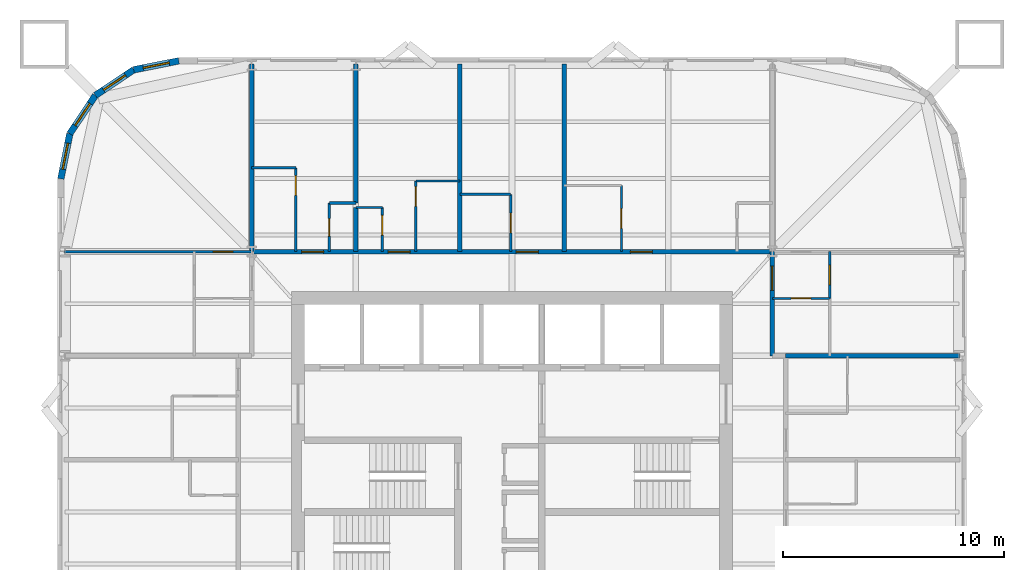
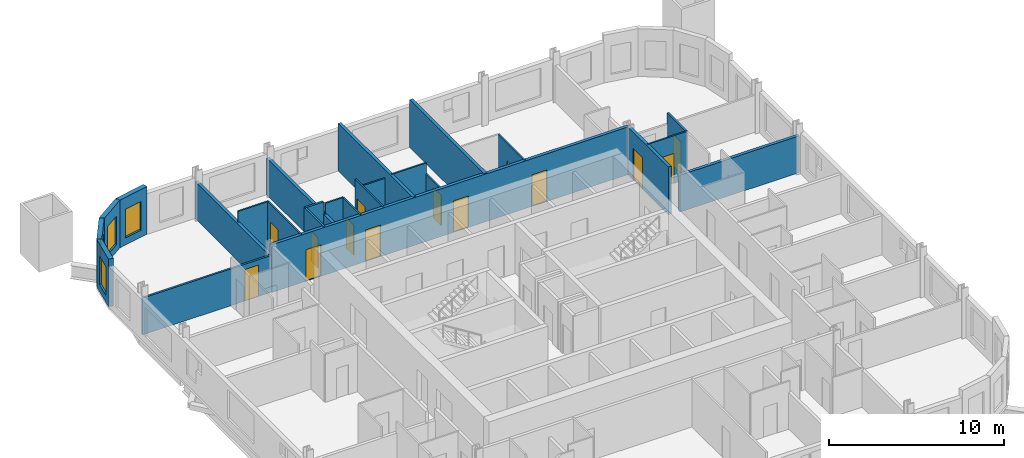
# One storey, part 7 of 9: 26 walls, 14 doors, 4 windows, 18 openings.
"""IFC4 building model written with IfcOpenShell, lengths in metres."""

from ifc_helpers import new_model, si_unit, direction, frame, frame_2d, origin, place, context, subcontext, project, spatial, rectangle, extrude, material, layer, layer_set, type_object, element, fill, save


model = new_model("IFC4")

# Units and contexts
model_context = context("Model", 3, precision=1e-05, world=origin(), true_north=direction((0.0, 1.0)))
body_context = subcontext(model_context, "Body", "Model", "MODEL_VIEW")
ifc_project = project(units=[si_unit("LENGTHUNIT", "METRE"), si_unit("AREAUNIT", "SQUARE_METRE"), si_unit("VOLUMEUNIT", "CUBIC_METRE"), si_unit("PLANEANGLEUNIT", "RADIAN"), si_unit("MASSUNIT", "GRAM", prefix="KILO")], contexts=[model_context])

# Site, building, storey
site_placement = place(None, origin())
site = spatial("IfcSite", under=ifc_project, at=site_placement, CompositionType="ELEMENT")
building_placement = place(site_placement, origin())
building = spatial("IfcBuilding", under=site, at=building_placement, Name="Turquesa Mirador Hotel Tower", CompositionType="ELEMENT")
storey_placement = place(building_placement, frame((0.0, 0.0, 117.89990234375)))
storey = spatial("IfcBuildingStorey", under=building, at=storey_placement, Name="L31", CompositionType="ELEMENT", Elevation=117.89990234375)

# Walls
ifc_material_1 = material(Name="Gypsum board on steel studs", Category="steel")
ifc_layer_1 = layer(ifc_material_1, 0.10009765625)
ifc_layer_set_1 = layer_set([ifc_layer_1], Name="BATHROOM WALL 100")
wall_type_1 = type_object("IfcWallType", Name="BATHROOM WALL 100", PredefinedType="PARTITIONING", material=ifc_layer_set_1)
wall_1_placement = place(storey_placement, frame((47.919921875, 58.800048828125, 0.0), z_axis=(0.0, 0.0, 1.0), x_axis=(1.0, 0.0, 0.0)))
element("IfcWall", 1, at=wall_1_placement, inside=storey, type_object=wall_type_1, Name="Partition L31 024", PredefinedType="PARTITIONING", context=body_context, shape_type="SweptSolid", body=[
    extrude(rectangle(XDim=1.2001953125, YDim=0.10009765625, at=frame_2d((0.60009765625, 0.0))), origin(), (0.0, 0.0, 1.0), 3.330078125),
])
wall_2_placement = place(storey_placement, frame((52.639892578125, 59.39990234375, 0.0), z_axis=(0.0, 0.0, 1.0), x_axis=(1.0, 0.0, 0.0)))
element("IfcWall", 2, at=wall_2_placement, inside=storey, type_object=wall_type_1, Name="Partition L31 027", PredefinedType="PARTITIONING", context=body_context, shape_type="SweptSolid", body=[
    extrude(rectangle(XDim=2.300048828125, YDim=0.10009765625, at=frame_2d((1.14990234375, 0.0))), origin(), (0.0, 0.0, 1.0), 3.330078125),
])
wall_3_placement = place(storey_placement, frame((50.639892578125, 60.0, 0.0), z_axis=(0.0, 0.0, 1.0), x_axis=(1.0, 0.0, 0.0)))
element("IfcWall", 3, at=wall_3_placement, inside=storey, type_object=wall_type_1, Name="Partition L31 029", PredefinedType="PARTITIONING", context=body_context, shape_type="SweptSolid", body=[
    extrude(rectangle(XDim=2.0, YDim=0.10009765625, at=frame_2d((1.0, 0.0))), origin(), (0.0, 0.0, 1.0), 2.730712890625),
])
wall_4_placement = place(storey_placement, frame((43.199951171875, 60.60009765625, 0.0), z_axis=(0.0, 0.0, 1.0), x_axis=(1.0, 0.0, 0.0)))
element("IfcWall", 4, at=wall_4_placement, inside=storey, type_object=wall_type_1, Name="Partition L31 030", PredefinedType="PARTITIONING", context=body_context, shape_type="SweptSolid", body=[
    extrude(rectangle(XDim=2.0, YDim=0.10009765625, at=frame_2d((1.0, 0.0))), origin(), (0.0, 0.0, 1.0), 3.330078125),
])

# Wall, opening, door
wall_5_placement = place(storey_placement, frame((66.800048828125, 54.679931640625, 0.0), z_axis=(0.0, 0.0, 1.0), x_axis=(1.0, 0.0, 0.0)))
wall_5 = element("IfcWall", 5, at=wall_5_placement, inside=storey, type_object=wall_type_1, Name="Partition L31 040", PredefinedType="PARTITIONING", context=body_context, shape_type="SweptSolid", body=[
    extrude(rectangle(XDim=2.599853515625, YDim=0.10009765625, at=frame_2d((1.2998046875, 0.0))), origin(), (0.0, 0.0, 1.0), 3.330078125),
])
opening_1_placement = place(wall_5_placement, frame((0.85009765625, 0.0, 0.0)))
opening_1 = element("IfcOpeningElement", 6, at=opening_1_placement, cuts=wall_5, Name="Opening D02", PredefinedType="OPENING", context=body_context, shape_type="SweptSolid", body=[
    extrude(rectangle(XDim=0.89990234375, YDim=2.10009765625, at=frame_2d((0.449951171875, 1.050048828125))), frame((0.0, 0.06005859375, 0.0), z_axis=(0.0, -1.0, 0.0), x_axis=(1.0, 0.0, 0.0)), (0.0, 0.0, 1.0), 0.1201171875),
])
ifc_material_2 = material(Name="Timber veneered door", Category="wood")
door_type_1 = type_object("IfcDoorType", Name="DOOR 900X2100 EN-SUITE", OperationType="SINGLE_SWING_RIGHT", PredefinedType="DOOR", material=ifc_material_2)
door_1_placement = place(opening_1_placement, origin())
door_1 = element("IfcDoor", 7, at=door_1_placement, inside=storey, type_object=door_type_1, Name="Door 3113B", OperationType="SINGLE_SWING_RIGHT", OverallHeight=2.10009765625, OverallWidth=0.89990234375, PredefinedType="DOOR", context=body_context, shape_type="SweptSolid", body=[
    extrude(rectangle(XDim=0.89990234375, YDim=2.10009765625, at=frame_2d((0.449951171875, 1.050048828125))), frame((0.0, 0.02490234375, 0.0), z_axis=(0.0, -1.0, 0.0), x_axis=(1.0, 0.0, 0.0)), (0.0, 0.0, 1.0), 0.050048828125),
])
fill(opening_1, door_1)

wall_6_placement = place(storey_placement, frame((54.93994140625, 56.800048828125, 0.0), z_axis=(0.0, 0.0, 1.0), x_axis=(0.0, 1.0, 0.0)))
wall_6 = element("IfcWall", 8, at=wall_6_placement, inside=storey, type_object=wall_type_1, Name="Partition L31 041", PredefinedType="PARTITIONING", context=body_context, shape_type="SweptSolid", body=[
    extrude(rectangle(XDim=2.599853515625, YDim=0.10009765625, at=frame_2d((1.2998046875, 0.0))), origin(), (0.0, 0.0, 1.0), 2.5732421875),
])
opening_2_placement = place(wall_6_placement, frame((0.85009765625, 0.0, 0.0)))
opening_2 = element("IfcOpeningElement", 9, at=opening_2_placement, cuts=wall_6, Name="Opening D02", PredefinedType="OPENING", context=body_context, shape_type="SweptSolid", body=[
    extrude(rectangle(XDim=0.89990234375, YDim=2.10009765625, at=frame_2d((0.449951171875, 1.050048828125))), frame((0.0, 0.06005859375, 0.0), z_axis=(0.0, -1.0, 0.0), x_axis=(1.0, 0.0, 0.0)), (0.0, 0.0, 1.0), 0.1201171875),
])
door_2_placement = place(opening_2_placement, origin())
door_2 = element("IfcDoor", 10, at=door_2_placement, inside=storey, type_object=door_type_1, Name="Door 3103B", OperationType="SINGLE_SWING_RIGHT", OverallHeight=2.10009765625, OverallWidth=0.89990234375, PredefinedType="DOOR", context=body_context, shape_type="SweptSolid", body=[
    extrude(rectangle(XDim=0.89990234375, YDim=2.10009765625, at=frame_2d((0.449951171875, 1.050048828125))), frame((0.0, 0.02490234375, 0.0), z_axis=(0.0, -1.0, 0.0), x_axis=(1.0, 0.0, 0.0)), (0.0, 0.0, 1.0), 0.050048828125),
])
fill(opening_2, door_2)

wall_7_placement = place(storey_placement, frame((50.639892578125, 56.800048828125, 0.0), z_axis=(0.0, 0.0, 1.0), x_axis=(0.0, 1.0, 0.0)))
wall_7 = element("IfcWall", 11, at=wall_7_placement, inside=storey, type_object=wall_type_1, Name="Partition L31 055", PredefinedType="PARTITIONING", context=body_context, shape_type="SweptSolid", body=[
    extrude(rectangle(XDim=3.199951171875, YDim=0.10009765625, at=frame_2d((1.60009765625, 0.0))), origin(), (0.0, 0.0, 1.0), 3.330078125),
])
opening_3_placement = place(wall_7_placement, frame((2.050048828125, 0.0, 0.0)))
opening_3 = element("IfcOpeningElement", 12, at=opening_3_placement, cuts=wall_7, Name="Opening D02", PredefinedType="OPENING", context=body_context, shape_type="SweptSolid", body=[
    extrude(rectangle(XDim=0.89990234375, YDim=2.10009765625, at=frame_2d((0.449951171875, 1.050048828125))), frame((0.0, 0.06005859375, 0.0), z_axis=(0.0, -1.0, 0.0), x_axis=(1.0, 0.0, 0.0)), (0.0, 0.0, 1.0), 0.1201171875),
])
door_3_placement = place(opening_3_placement, origin())
door_3 = element("IfcDoor", 13, at=door_3_placement, inside=storey, type_object=door_type_1, Name="Door 3102B", OperationType="SINGLE_SWING_RIGHT", OverallHeight=2.10009765625, OverallWidth=0.89990234375, PredefinedType="DOOR", context=body_context, shape_type="SweptSolid", body=[
    extrude(rectangle(XDim=0.89990234375, YDim=2.10009765625, at=frame_2d((0.449951171875, 1.050048828125))), frame((0.0, 0.02490234375, 0.0), z_axis=(0.0, -1.0, 0.0), x_axis=(1.0, 0.0, 0.0)), (0.0, 0.0, 1.0), 0.050048828125),
])
fill(opening_3, door_3)

wall_8_placement = place(storey_placement, frame((49.1201171875, 56.800048828125, 0.0), z_axis=(0.0, 0.0, 1.0), x_axis=(0.0, 1.0, 0.0)))
wall_8 = element("IfcWall", 14, at=wall_8_placement, inside=storey, type_object=wall_type_1, Name="Partition L31 057", PredefinedType="PARTITIONING", context=body_context, shape_type="SweptSolid", body=[
    extrude(rectangle(XDim=2.0, YDim=0.10009765625, at=frame_2d((1.0, 0.0))), origin(), (0.0, 0.0, 1.0), 3.330078125),
])
opening_4_placement = place(wall_8_placement, frame((0.75, 0.0, 0.0)))
opening_4 = element("IfcOpeningElement", 15, at=opening_4_placement, cuts=wall_8, Name="Opening D06", PredefinedType="OPENING", context=body_context, shape_type="SweptSolid", body=[
    extrude(rectangle(XDim=0.89990234375, YDim=2.10009765625, at=frame_2d((0.449951171875, 1.050048828125))), frame((0.0, 0.06005859375, 0.0), z_axis=(0.0, -1.0, 0.0), x_axis=(1.0, 0.0, 0.0)), (0.0, 0.0, 1.0), 0.1201171875),
])
ifc_material_3 = material(Name="Laminate door", Category="wood")
door_type_2 = type_object("IfcDoorType", Name="DOOR 900X2100 WC", OperationType="SINGLE_SWING_LEFT", PredefinedType="DOOR", material=ifc_material_3)
door_4_placement = place(opening_4_placement, origin())
door_4 = element("IfcDoor", 16, at=door_4_placement, inside=storey, type_object=door_type_2, Name="Door 3102W", OperationType="SINGLE_SWING_LEFT", OverallHeight=2.10009765625, OverallWidth=0.89990234375, PredefinedType="DOOR", context=body_context, shape_type="SweptSolid", body=[
    extrude(rectangle(XDim=0.89990234375, YDim=2.10009765625, at=frame_2d((0.449951171875, 1.050048828125))), frame((0.0, 0.02490234375, 0.0), z_axis=(0.0, -1.0, 0.0), x_axis=(1.0, 0.0, 0.0)), (0.0, 0.0, 1.0), 0.050048828125),
])
fill(opening_4, door_4)

wall_9_placement = place(storey_placement, frame((45.199951171875, 56.800048828125, 0.0), z_axis=(0.0, 0.0, 1.0), x_axis=(0.0, 1.0, 0.0)))
wall_9 = element("IfcWall", 17, at=wall_9_placement, inside=storey, type_object=wall_type_1, Name="Partition L31 063", PredefinedType="PARTITIONING", context=body_context, shape_type="SweptSolid", body=[
    extrude(rectangle(XDim=3.800048828125, YDim=0.10009765625, at=frame_2d((1.89990234375, 0.0))), origin(), (0.0, 0.0, 1.0), 3.330078125),
])
opening_5_placement = place(wall_9_placement, frame((2.550048828125, 0.0, 0.0)))
opening_5 = element("IfcOpeningElement", 18, at=opening_5_placement, cuts=wall_9, Name="Opening D02", PredefinedType="OPENING", context=body_context, shape_type="SweptSolid", body=[
    extrude(rectangle(XDim=0.89990234375, YDim=2.10009765625, at=frame_2d((0.449951171875, 1.050048828125))), frame((0.0, 0.06005859375, 0.0), z_axis=(0.0, -1.0, 0.0), x_axis=(1.0, 0.0, 0.0)), (0.0, 0.0, 1.0), 0.1201171875),
])
door_5_placement = place(opening_5_placement, origin())
door_5 = element("IfcDoor", 19, at=door_5_placement, inside=storey, type_object=door_type_1, Name="Door 3101B", OperationType="SINGLE_SWING_RIGHT", OverallHeight=2.10009765625, OverallWidth=0.89990234375, PredefinedType="DOOR", context=body_context, shape_type="SweptSolid", body=[
    extrude(rectangle(XDim=0.89990234375, YDim=2.10009765625, at=frame_2d((0.449951171875, 1.050048828125))), frame((0.0, 0.02490234375, 0.0), z_axis=(0.0, -1.0, 0.0), x_axis=(1.0, 0.0, 0.0)), (0.0, 0.0, 1.0), 0.050048828125),
])
fill(opening_5, door_5)

wall_10_placement = place(storey_placement, frame((59.9599609375, 56.800048828125, 0.0), z_axis=(0.0, 0.0, 1.0), x_axis=(0.0, 1.0, 0.0)))
wall_10 = element("IfcWall", 20, at=wall_10_placement, inside=storey, type_object=wall_type_1, Name="Partition L31 081", PredefinedType="PARTITIONING", context=body_context, shape_type="SweptSolid", body=[
    extrude(rectangle(XDim=3.0, YDim=0.10009765625, at=frame_2d((1.5, 0.0))), origin(), (0.0, 0.0, 1.0), 3.330078125),
])
opening_6_placement = place(wall_10_placement, frame((1.050048828125, 0.0, 0.0)))
opening_6 = element("IfcOpeningElement", 21, at=opening_6_placement, cuts=wall_10, Name="Opening D02", PredefinedType="OPENING", context=body_context, shape_type="SweptSolid", body=[
    extrude(rectangle(XDim=0.89990234375, YDim=2.10009765625, at=frame_2d((0.449951171875, 1.050048828125))), frame((0.0, 0.06005859375, 0.0), z_axis=(0.0, -1.0, 0.0), x_axis=(1.0, 0.0, 0.0)), (0.0, 0.0, 1.0), 0.1201171875),
])
door_6_placement = place(opening_6_placement, origin())
door_6 = element("IfcDoor", 22, at=door_6_placement, inside=storey, type_object=door_type_1, Name="Door 3104B", OperationType="SINGLE_SWING_RIGHT", OverallHeight=2.10009765625, OverallWidth=0.89990234375, PredefinedType="DOOR", context=body_context, shape_type="SweptSolid", body=[
    extrude(rectangle(XDim=0.89990234375, YDim=2.10009765625, at=frame_2d((0.449951171875, 1.050048828125))), frame((0.0, 0.02490234375, 0.0), z_axis=(0.0, -1.0, 0.0), x_axis=(1.0, 0.0, 0.0)), (0.0, 0.0, 1.0), 0.050048828125),
])
fill(opening_6, door_6)

# Wall, openings, doors
ifc_material_4 = material(Name="Fire-rated gypsum board on steel studs", Category="steel")
ifc_layer_2 = layer(ifc_material_4, 0.199951171875)
ifc_layer_set_2 = layer_set([ifc_layer_2], Name="CORRIDOR WALL 200")
wall_type_2 = type_object("IfcWallType", Name="CORRIDOR WALL 200", PredefinedType="PARTITIONING", material=ifc_layer_set_2)
wall_11_placement = place(storey_placement, frame((43.199951171875, 56.800048828125, 0.0), z_axis=(0.0, 0.0, 1.0), x_axis=(1.0, 0.0, 0.0)))
wall_11 = element("IfcWall", 23, at=wall_11_placement, inside=storey, type_object=wall_type_2, Name="Partition L31 021", PredefinedType="PARTITIONING", context=body_context, shape_type="SweptSolid", body=[
    extrude(rectangle(XDim=23.60009765625, YDim=0.199951171875, at=frame_2d((11.800048828125, 0.0))), origin(), (0.0, 0.0, 1.0), 3.330078125),
])
opening_7_placement = place(wall_11_placement, frame((2.260009765625, 0.0, 0.0)))
opening_7 = element("IfcOpeningElement", 24, at=opening_7_placement, cuts=wall_11, Name="Opening D01", PredefinedType="OPENING", context=body_context, shape_type="SweptSolid", body=[
    extrude(rectangle(XDim=1.0, YDim=2.199951171875, at=frame_2d((0.5, 1.10009765625))), frame((0.0, 0.10986328125, 0.0), z_axis=(0.0, -1.0, 0.0), x_axis=(1.0, 0.0, 0.0)), (0.0, 0.0, 1.0), 0.219970703125),
])
opening_8_placement = place(wall_11_placement, frame((6.179931640625, 0.0, 0.0)))
opening_8 = element("IfcOpeningElement", 25, at=opening_8_placement, cuts=wall_11, Name="Opening D01", PredefinedType="OPENING", context=body_context, shape_type="SweptSolid", body=[
    extrude(rectangle(XDim=1.0, YDim=2.199951171875, at=frame_2d((0.5, 1.10009765625))), frame((0.0, 0.10986328125, 0.0), z_axis=(0.0, -1.0, 0.0), x_axis=(1.0, 0.0, 0.0)), (0.0, 0.0, 1.0), 0.219970703125),
])
opening_9_placement = place(wall_11_placement, frame((11.989990234375, 0.0, 0.0)))
opening_9 = element("IfcOpeningElement", 26, at=opening_9_placement, cuts=wall_11, Name="Opening D01", PredefinedType="OPENING", context=body_context, shape_type="SweptSolid", body=[
    extrude(rectangle(XDim=1.0, YDim=2.199951171875, at=frame_2d((0.5, 1.10009765625))), frame((0.0, 0.10986328125, 0.0), z_axis=(0.0, -1.0, 0.0), x_axis=(1.0, 0.0, 0.0)), (0.0, 0.0, 1.0), 0.219970703125),
])
opening_10_placement = place(wall_11_placement, frame((17.159912109375, 0.0, 0.0)))
opening_10 = element("IfcOpeningElement", 27, at=opening_10_placement, cuts=wall_11, Name="Opening D01", PredefinedType="OPENING", context=body_context, shape_type="SweptSolid", body=[
    extrude(rectangle(XDim=1.0, YDim=2.199951171875, at=frame_2d((0.5, 1.10009765625))), frame((0.0, 0.10986328125, 0.0), z_axis=(0.0, -1.0, 0.0), x_axis=(1.0, 0.0, 0.0)), (0.0, 0.0, 1.0), 0.219970703125),
])
ifc_material_5 = material(Name="Timber veneered fire door", Category="wood")
door_type_3 = type_object("IfcDoorType", Name="DOOR 1000X2200 GUEST ENTRY", OperationType="SINGLE_SWING_LEFT", PredefinedType="DOOR", material=ifc_material_5)
door_7_placement = place(opening_7_placement, origin())
door_7 = element("IfcDoor", 28, at=door_7_placement, inside=storey, type_object=door_type_3, Name="Door 3101", OperationType="SINGLE_SWING_LEFT", OverallHeight=2.199951171875, OverallWidth=1.0, PredefinedType="DOOR", context=body_context, shape_type="SweptSolid", body=[
    extrude(rectangle(XDim=1.0, YDim=2.199951171875, at=frame_2d((0.5, 1.10009765625))), frame((0.0, 0.02490234375, 0.0), z_axis=(0.0, -1.0, 0.0), x_axis=(1.0, 0.0, 0.0)), (0.0, 0.0, 1.0), 0.050048828125),
])
fill(opening_7, door_7)
door_8_placement = place(opening_8_placement, origin())
door_8 = element("IfcDoor", 29, at=door_8_placement, inside=storey, type_object=door_type_3, Name="Door 3102", OperationType="SINGLE_SWING_LEFT", OverallHeight=2.199951171875, OverallWidth=1.0, PredefinedType="DOOR", context=body_context, shape_type="SweptSolid", body=[
    extrude(rectangle(XDim=1.0, YDim=2.199951171875, at=frame_2d((0.5, 1.10009765625))), frame((0.0, 0.02490234375, 0.0), z_axis=(0.0, -1.0, 0.0), x_axis=(1.0, 0.0, 0.0)), (0.0, 0.0, 1.0), 0.050048828125),
])
fill(opening_8, door_8)
door_9_placement = place(opening_9_placement, origin())
door_9 = element("IfcDoor", 30, at=door_9_placement, inside=storey, type_object=door_type_3, Name="Door 3103", OperationType="SINGLE_SWING_LEFT", OverallHeight=2.199951171875, OverallWidth=1.0, PredefinedType="DOOR", context=body_context, shape_type="SweptSolid", body=[
    extrude(rectangle(XDim=1.0, YDim=2.199951171875, at=frame_2d((0.5, 1.10009765625))), frame((0.0, 0.02490234375, 0.0), z_axis=(0.0, -1.0, 0.0), x_axis=(1.0, 0.0, 0.0)), (0.0, 0.0, 1.0), 0.050048828125),
])
fill(opening_9, door_9)
door_10_placement = place(opening_10_placement, origin())
door_10 = element("IfcDoor", 31, at=door_10_placement, inside=storey, type_object=door_type_3, Name="Door 3104", OperationType="SINGLE_SWING_LEFT", OverallHeight=2.199951171875, OverallWidth=1.0, PredefinedType="DOOR", context=body_context, shape_type="SweptSolid", body=[
    extrude(rectangle(XDim=1.0, YDim=2.199951171875, at=frame_2d((0.5, 1.10009765625))), frame((0.0, 0.02490234375, 0.0), z_axis=(0.0, -1.0, 0.0), x_axis=(1.0, 0.0, 0.0)), (0.0, 0.0, 1.0), 0.050048828125),
])
fill(opening_10, door_10)

# Wall, opening, door
wall_12_placement = place(storey_placement, frame((66.800048828125, 52.080078125, 0.0), z_axis=(0.0, 0.0, 1.0), x_axis=(0.0, 1.0, 0.0)))
wall_12 = element("IfcWall", 32, at=wall_12_placement, inside=storey, type_object=wall_type_2, Name="Partition L31 066", PredefinedType="PARTITIONING", context=body_context, shape_type="SweptSolid", body=[
    extrude(rectangle(XDim=4.719970703125, YDim=0.199951171875, at=frame_2d((2.35986328125, 0.0))), origin(), (0.0, 0.0, 1.0), 3.330078125),
])
opening_11_placement = place(wall_12_placement, frame((2.9599609375, 0.0, 0.0)))
opening_11 = element("IfcOpeningElement", 33, at=opening_11_placement, cuts=wall_12, Name="Opening D15", PredefinedType="OPENING", context=body_context, shape_type="SweptSolid", body=[
    extrude(rectangle(XDim=1.10009765625, YDim=2.199951171875, at=frame_2d((0.550048828125, 1.10009765625))), frame((0.0, 0.10986328125, 0.0), z_axis=(0.0, -1.0, 0.0), x_axis=(1.0, 0.0, 0.0)), (0.0, 0.0, 1.0), 0.219970703125),
])
ifc_material_6 = material(Name="Timber veneered fire door", Category="wood")
door_type_4 = type_object("IfcDoorType", Name="DOOR 1100X2200 SUITE ENTRY", OperationType="SINGLE_SWING_LEFT", PredefinedType="DOOR", material=ifc_material_6)
door_11_placement = place(opening_11_placement, origin())
door_11 = element("IfcDoor", 34, at=door_11_placement, inside=storey, type_object=door_type_4, Name="Door 3113H", OperationType="SINGLE_SWING_LEFT", OverallHeight=2.199951171875, OverallWidth=1.10009765625, PredefinedType="DOOR", context=body_context, shape_type="SweptSolid", body=[
    extrude(rectangle(XDim=1.10009765625, YDim=2.199951171875, at=frame_2d((0.550048828125, 1.10009765625))), frame((0.0, 0.02490234375, 0.0), z_axis=(0.0, -1.0, 0.0), x_axis=(1.0, 0.0, 0.0)), (0.0, 0.0, 1.0), 0.050048828125),
])
fill(opening_11, door_11)

# Wall, opening, window
ifc_material_7 = material(Name="Limestone cladding on concrete block", Category="masonry")
ifc_layer_3 = layer(ifc_material_7, 0.300048828125)
ifc_layer_set_3 = layer_set([ifc_layer_3], Name="FACADE WALL 300 STONE SCREEN")
wall_type_3 = type_object("IfcWallType", Name="FACADE WALL 300 STONE SCREEN", PredefinedType="SOLIDWALL", material=ifc_layer_set_3)
wall_13_placement = place(storey_placement, frame((39.89990234375, 65.449951171875, 0.0), z_axis=(0.0, 0.0, 1.0), x_axis=(-0.980787050784, -0.195081421501, 0.0)))
wall_13 = element("IfcWall", 35, at=wall_13_placement, inside=storey, type_object=wall_type_3, Name="Facade wall L31 10", PredefinedType="SOLIDWALL", context=body_context, shape_type="SweptSolid", body=[
    extrude(rectangle(XDim=2.08740234375, YDim=0.300048828125, at=frame_2d((1.043701171875, 0.0))), origin(), (0.0, 0.0, 1.0), 3.330078125),
])
opening_12_placement = place(wall_13_placement, frame((0.443603515625, 0.0, 0.5)))
opening_12 = element("IfcOpeningElement", 36, at=opening_12_placement, cuts=wall_13, Name="Opening WN4", PredefinedType="OPENING", context=body_context, shape_type="SweptSolid", body=[
    extrude(rectangle(XDim=1.199951171875, YDim=2.0, at=frame_2d((0.60009765625, 1.0))), frame((0.0, 0.159912109375, 0.0), z_axis=(0.0, -1.0, 0.0), x_axis=(1.0, 0.0, 0.0)), (0.0, 0.0, 1.0), 0.320068359375),
])
ifc_material_8 = material(Name="Ceramic-fritted laminated glass", Category="glass")
window_type = type_object("IfcWindowType", Name="FRITTED CORNER WINDOW 1200X2000", PartitioningType="DOUBLE_PANEL_HORIZONTAL", PredefinedType="WINDOW", material=ifc_material_8)
window_1_placement = place(opening_12_placement, origin())
window_1 = element("IfcWindow", 37, at=window_1_placement, inside=storey, type_object=window_type, Name="Window L31", OverallHeight=2.0, OverallWidth=1.199951171875, PartitioningType="SINGLE_PANEL", PredefinedType="WINDOW", context=body_context, shape_type="SweptSolid", body=[
    extrude(rectangle(XDim=1.199951171875, YDim=2.0, at=frame_2d((0.60009765625, 1.0))), frame((0.0, 0.030029296875, 0.0), z_axis=(0.0, -1.0, 0.0), x_axis=(1.0, 0.0, 0.0)), (0.0, 0.0, 1.0), 0.06005859375),
])
fill(opening_12, window_1)

wall_14_placement = place(storey_placement, frame((37.8525390625, 65.042724609375, 0.0), z_axis=(0.0, 0.0, 1.0), x_axis=(-0.831474039234, -0.555563607591, 0.0)))
wall_14 = element("IfcWall", 38, at=wall_14_placement, inside=storey, type_object=wall_type_3, Name="Facade wall L31 11", PredefinedType="SOLIDWALL", context=body_context, shape_type="SweptSolid", body=[
    extrude(rectangle(XDim=2.08740234375, YDim=0.300048828125, at=frame_2d((1.043701171875, 0.0))), origin(), (0.0, 0.0, 1.0), 3.330078125),
])
opening_13_placement = place(wall_14_placement, frame((0.443603515625, 0.0, 0.5)))
opening_13 = element("IfcOpeningElement", 39, at=opening_13_placement, cuts=wall_14, Name="Opening WN4", PredefinedType="OPENING", context=body_context, shape_type="SweptSolid", body=[
    extrude(rectangle(XDim=1.199951171875, YDim=2.0, at=frame_2d((0.60009765625, 1.0))), frame((0.0, 0.159912109375, 0.0), z_axis=(0.0, -1.0, 0.0), x_axis=(1.0, 0.0, 0.0)), (0.0, 0.0, 1.0), 0.320068359375),
])
window_2_placement = place(opening_13_placement, origin())
window_2 = element("IfcWindow", 40, at=window_2_placement, inside=storey, type_object=window_type, Name="Window L31", OverallHeight=2.0, OverallWidth=1.199951171875, PartitioningType="SINGLE_PANEL", PredefinedType="WINDOW", context=body_context, shape_type="SweptSolid", body=[
    extrude(rectangle(XDim=1.199951171875, YDim=2.0, at=frame_2d((0.60009765625, 1.0))), frame((0.0, 0.030029296875, 0.0), z_axis=(0.0, -1.0, 0.0), x_axis=(1.0, 0.0, 0.0)), (0.0, 0.0, 1.0), 0.06005859375),
])
fill(opening_13, window_2)

wall_15_placement = place(storey_placement, frame((36.116943359375, 63.883056640625, 0.0), z_axis=(0.0, 0.0, 1.0), x_axis=(-0.555563607591, -0.831474039234, 0.0)))
wall_15 = element("IfcWall", 41, at=wall_15_placement, inside=storey, type_object=wall_type_3, Name="Facade wall L31 12", PredefinedType="SOLIDWALL", context=body_context, shape_type="SweptSolid", body=[
    extrude(rectangle(XDim=2.08740234375, YDim=0.300048828125, at=frame_2d((1.043701171875, 0.0))), origin(), (0.0, 0.0, 1.0), 3.330078125),
])
opening_14_placement = place(wall_15_placement, frame((0.443603515625, 0.0, 0.5)))
opening_14 = element("IfcOpeningElement", 42, at=opening_14_placement, cuts=wall_15, Name="Opening WN4", PredefinedType="OPENING", context=body_context, shape_type="SweptSolid", body=[
    extrude(rectangle(XDim=1.199951171875, YDim=2.0, at=frame_2d((0.60009765625, 1.0))), frame((0.0, 0.159912109375, 0.0), z_axis=(0.0, -1.0, 0.0), x_axis=(1.0, 0.0, 0.0)), (0.0, 0.0, 1.0), 0.320068359375),
])
window_3_placement = place(opening_14_placement, origin())
window_3 = element("IfcWindow", 43, at=window_3_placement, inside=storey, type_object=window_type, Name="Window L31", OverallHeight=2.0, OverallWidth=1.199951171875, PartitioningType="SINGLE_PANEL", PredefinedType="WINDOW", context=body_context, shape_type="SweptSolid", body=[
    extrude(rectangle(XDim=1.199951171875, YDim=2.0, at=frame_2d((0.60009765625, 1.0))), frame((0.0, 0.030029296875, 0.0), z_axis=(0.0, -1.0, 0.0), x_axis=(1.0, 0.0, 0.0)), (0.0, 0.0, 1.0), 0.06005859375),
])
fill(opening_14, window_3)

wall_16_placement = place(storey_placement, frame((34.957275390625, 62.1474609375, 0.0), z_axis=(0.0, 0.0, 1.0), x_axis=(-0.195081421501, -0.980787050784, 0.0)))
wall_16 = element("IfcWall", 44, at=wall_16_placement, inside=storey, type_object=wall_type_3, Name="Facade wall L31 13", PredefinedType="SOLIDWALL", context=body_context, shape_type="SweptSolid", body=[
    extrude(rectangle(XDim=2.08740234375, YDim=0.300048828125, at=frame_2d((1.043701171875, 0.0))), origin(), (0.0, 0.0, 1.0), 3.330078125),
])
opening_15_placement = place(wall_16_placement, frame((0.443603515625, 0.0, 0.5)))
opening_15 = element("IfcOpeningElement", 45, at=opening_15_placement, cuts=wall_16, Name="Opening WN4", PredefinedType="OPENING", context=body_context, shape_type="SweptSolid", body=[
    extrude(rectangle(XDim=1.199951171875, YDim=2.0, at=frame_2d((0.60009765625, 1.0))), frame((0.0, 0.159912109375, 0.0), z_axis=(0.0, -1.0, 0.0), x_axis=(1.0, 0.0, 0.0)), (0.0, 0.0, 1.0), 0.320068359375),
])
window_4_placement = place(opening_15_placement, origin())
window_4 = element("IfcWindow", 46, at=window_4_placement, inside=storey, type_object=window_type, Name="Window L31", OverallHeight=2.0, OverallWidth=1.199951171875, PartitioningType="SINGLE_PANEL", PredefinedType="WINDOW", context=body_context, shape_type="SweptSolid", body=[
    extrude(rectangle(XDim=1.199951171875, YDim=2.0, at=frame_2d((0.60009765625, 1.0))), frame((0.0, 0.030029296875, 0.0), z_axis=(0.0, -1.0, 0.0), x_axis=(1.0, 0.0, 0.0)), (0.0, 0.0, 1.0), 0.06005859375),
])
fill(opening_15, window_4)

# Walls
ifc_material_9 = material(Name="Fire-rated gypsum board on steel studs", Category="steel")
ifc_layer_4 = layer(ifc_material_9, 0.199951171875)
ifc_layer_set_4 = layer_set([ifc_layer_4], Name="PARTY WALL 200")
wall_type_4 = type_object("IfcWallType", Name="PARTY WALL 200", PredefinedType="PARTITIONING", material=ifc_layer_set_4)
wall_17_placement = place(storey_placement, frame((67.39990234375, 52.080078125, 0.0), z_axis=(0.0, 0.0, 1.0), x_axis=(1.0, 0.0, 0.0)))
element("IfcWall", 47, at=wall_17_placement, inside=storey, type_object=wall_type_4, Name="Partition L31 038", PredefinedType="PARTITIONING", context=body_context, shape_type="SweptSolid", body=[
    extrude(rectangle(XDim=7.900146484375, YDim=0.199951171875, at=frame_2d((3.9501953125, 0.0))), origin(), (0.0, 0.0, 1.0), 2.5732421875),
])
wall_18_placement = place(storey_placement, frame((43.199951171875, 56.800048828125, 0.0), z_axis=(0.0, 0.0, 1.0), x_axis=(0.0, 1.0, 0.0)))
element("IfcWall", 48, at=wall_18_placement, inside=storey, type_object=wall_type_4, Name="Partition L31 045", PredefinedType="PARTITIONING", context=body_context, shape_type="SweptSolid", body=[
    extrude(rectangle(XDim=8.5, YDim=0.199951171875, at=frame_2d((4.25, 0.0))), origin(), (0.0, 0.0, 1.0), 2.5732421875),
])
wall_19_placement = place(storey_placement, frame((52.639892578125, 56.800048828125, 0.0), z_axis=(0.0, 0.0, 1.0), x_axis=(0.0, 1.0, 0.0)))
element("IfcWall", 49, at=wall_19_placement, inside=storey, type_object=wall_type_4, Name="Partition L31 054", PredefinedType="PARTITIONING", context=body_context, shape_type="SweptSolid", body=[
    extrude(rectangle(XDim=8.5, YDim=0.199951171875, at=frame_2d((4.25, 0.0))), origin(), (0.0, 0.0, 1.0), 3.330078125),
])
wall_20_placement = place(storey_placement, frame((47.919921875, 56.800048828125, 0.0), z_axis=(0.0, 0.0, 1.0), x_axis=(0.0, 1.0, 0.0)))
element("IfcWall", 50, at=wall_20_placement, inside=storey, type_object=wall_type_4, Name="Partition L31 059", PredefinedType="PARTITIONING", context=body_context, shape_type="SweptSolid", body=[
    extrude(rectangle(XDim=2.0, YDim=0.199951171875, at=frame_2d((1.0, 0.0))), origin(), (0.0, 0.0, 1.0), 2.5732421875),
])
wall_21_placement = place(storey_placement, frame((47.919921875, 59.0, 0.0), z_axis=(0.0, 0.0, 1.0), x_axis=(0.0, 1.0, 0.0)))
element("IfcWall", 51, at=wall_21_placement, inside=storey, type_object=wall_type_4, Name="Partition L31 060", PredefinedType="PARTITIONING", context=body_context, shape_type="SweptSolid", body=[
    extrude(rectangle(XDim=6.300048828125, YDim=0.199951171875, at=frame_2d((3.14990234375, 0.0))), origin(), (0.0, 0.0, 1.0), 2.5732421875),
])
wall_22_placement = place(storey_placement, frame((57.360107421875, 56.800048828125, 0.0), z_axis=(0.0, 0.0, 1.0), x_axis=(0.0, 1.0, 0.0)))
element("IfcWall", 52, at=wall_22_placement, inside=storey, type_object=wall_type_4, Name="Partition L31 078", PredefinedType="PARTITIONING", context=body_context, shape_type="SweptSolid", body=[
    extrude(rectangle(XDim=8.5, YDim=0.199951171875, at=frame_2d((4.25, 0.0))), origin(), (0.0, 0.0, 1.0), 3.330078125),
])

# Wall, opening, door
ifc_material_10 = material(Name="Acoustic gypsum board on steel studs", Category="steel")
ifc_layer_5 = layer(ifc_material_10, 0.125)
ifc_layer_set_5 = layer_set([ifc_layer_5], Name="SUITE PARTITION 125")
wall_type_5 = type_object("IfcWallType", Name="SUITE PARTITION 125", PredefinedType="PARTITIONING", material=ifc_layer_set_5)
wall_23_placement = place(storey_placement, frame((34.699951171875, 56.800048828125, 0.0), z_axis=(0.0, 0.0, 1.0), x_axis=(1.0, 0.0, 0.0)))
wall_23 = element("IfcWall", 53, at=wall_23_placement, inside=storey, type_object=wall_type_5, Name="Partition L31 022", PredefinedType="PARTITIONING", context=body_context, shape_type="SweptSolid", body=[
    extrude(rectangle(XDim=8.5, YDim=0.125, at=frame_2d((4.25, 0.0))), origin(), (0.0, 0.0, 1.0), 2.5732421875),
])
opening_16_placement = place(wall_23_placement, frame((6.75, 0.0, 0.0)))
opening_16 = element("IfcOpeningElement", 54, at=opening_16_placement, cuts=wall_23, Name="Opening D17", PredefinedType="OPENING", context=body_context, shape_type="SweptSolid", body=[
    extrude(rectangle(XDim=0.89990234375, YDim=2.199951171875, at=frame_2d((0.449951171875, 1.10009765625))), frame((0.0, 0.072509765625, 0.0), z_axis=(0.0, -1.0, 0.0), x_axis=(1.0, 0.0, 0.0)), (0.0, 0.0, 1.0), 0.14501953125),
])
ifc_material_11 = material(Name="Timber veneered door", Category="wood")
door_type_5 = type_object("IfcDoorType", Name="DOOR 900X2200 SUITE INTERNAL", OperationType="SINGLE_SWING_LEFT", PredefinedType="DOOR", material=ifc_material_11)
door_12_placement = place(opening_16_placement, origin())
door_12 = element("IfcDoor", 55, at=door_12_placement, inside=storey, type_object=door_type_5, Name="Door 3114", OperationType="SINGLE_SWING_LEFT", OverallHeight=2.199951171875, OverallWidth=0.89990234375, PredefinedType="DOOR", context=body_context, shape_type="SweptSolid", body=[
    extrude(rectangle(XDim=0.89990234375, YDim=2.199951171875, at=frame_2d((0.449951171875, 1.10009765625))), frame((0.0, 0.02490234375, 0.0), z_axis=(0.0, -1.0, 0.0), x_axis=(1.0, 0.0, 0.0)), (0.0, 0.0, 1.0), 0.050048828125),
])
fill(opening_16, door_12)

# Wall
wall_24_placement = place(storey_placement, frame((46.719970703125, 59.0, 0.0), z_axis=(0.0, 0.0, 1.0), x_axis=(1.0, 0.0, 0.0)))
element("IfcWall", 56, at=wall_24_placement, inside=storey, type_object=wall_type_5, Name="Partition L31 025", PredefinedType="PARTITIONING", context=body_context, shape_type="SweptSolid", body=[
    extrude(rectangle(XDim=1.199951171875, YDim=0.125, at=frame_2d((0.60009765625, 0.0))), origin(), (0.0, 0.0, 1.0), 3.330078125),
])

# Wall, opening, door
wall_25_placement = place(storey_placement, frame((46.719970703125, 56.800048828125, 0.0), z_axis=(0.0, 0.0, 1.0), x_axis=(0.0, 1.0, 0.0)))
wall_25 = element("IfcWall", 57, at=wall_25_placement, inside=storey, type_object=wall_type_5, Name="Partition L31 061", PredefinedType="PARTITIONING", context=body_context, shape_type="SweptSolid", body=[
    extrude(rectangle(XDim=2.199951171875, YDim=0.125, at=frame_2d((1.10009765625, 0.0))), origin(), (0.0, 0.0, 1.0), 3.330078125),
])
opening_17_placement = place(wall_25_placement, frame((0.699951171875, 0.0, 0.0)))
opening_17 = element("IfcOpeningElement", 58, at=opening_17_placement, cuts=wall_25, Name="Opening D20", PredefinedType="OPENING", context=body_context, shape_type="SweptSolid", body=[
    extrude(rectangle(XDim=0.800048828125, YDim=2.10009765625, at=frame_2d((0.39990234375, 1.050048828125))), frame((0.0, 0.072509765625, 0.0), z_axis=(0.0, -1.0, 0.0), x_axis=(1.0, 0.0, 0.0)), (0.0, 0.0, 1.0), 0.14501953125),
])
ifc_material_12 = material(Name="Timber veneered sliding door", Category="wood")
door_type_6 = type_object("IfcDoorType", Name="DOOR 800X2100 WARDROBE", OperationType="SLIDING_TO_LEFT", PredefinedType="DOOR", material=ifc_material_12)
door_13_placement = place(opening_17_placement, origin())
door_13 = element("IfcDoor", 59, at=door_13_placement, inside=storey, type_object=door_type_6, Name="Door 3101W", OperationType="SLIDING_TO_LEFT", OverallHeight=2.10009765625, OverallWidth=0.800048828125, PredefinedType="DOOR", context=body_context, shape_type="SweptSolid", body=[
    extrude(rectangle(XDim=0.800048828125, YDim=2.10009765625, at=frame_2d((0.39990234375, 1.050048828125))), frame((0.0, 0.02490234375, 0.0), z_axis=(0.0, -1.0, 0.0), x_axis=(1.0, 0.0, 0.0)), (0.0, 0.0, 1.0), 0.050048828125),
])
fill(opening_17, door_13)

wall_26_placement = place(storey_placement, frame((69.39990234375, 54.679931640625, 0.0), z_axis=(0.0, 0.0, 1.0), x_axis=(0.0, 1.0, 0.0)))
wall_26 = element("IfcWall", 60, at=wall_26_placement, inside=storey, type_object=wall_type_5, Name="Partition L31 074", PredefinedType="PARTITIONING", context=body_context, shape_type="SweptSolid", body=[
    extrude(rectangle(XDim=2.1201171875, YDim=0.125, at=frame_2d((1.06005859375, 0.0))), origin(), (0.0, 0.0, 1.0), 3.330078125),
])
opening_18_placement = place(wall_26_placement, frame((0.610107421875, 0.0, 0.0)))
opening_18 = element("IfcOpeningElement", 61, at=opening_18_placement, cuts=wall_26, Name="Opening D17", PredefinedType="OPENING", context=body_context, shape_type="SweptSolid", body=[
    extrude(rectangle(XDim=0.89990234375, YDim=2.199951171875, at=frame_2d((0.449951171875, 1.10009765625))), frame((0.0, 0.072509765625, 0.0), z_axis=(0.0, -1.0, 0.0), x_axis=(1.0, 0.0, 0.0)), (0.0, 0.0, 1.0), 0.14501953125),
])
door_14_placement = place(opening_18_placement, origin())
door_14 = element("IfcDoor", 62, at=door_14_placement, inside=storey, type_object=door_type_5, Name="Door 3113R", OperationType="SINGLE_SWING_LEFT", OverallHeight=2.199951171875, OverallWidth=0.89990234375, PredefinedType="DOOR", context=body_context, shape_type="SweptSolid", body=[
    extrude(rectangle(XDim=0.89990234375, YDim=2.199951171875, at=frame_2d((0.449951171875, 1.10009765625))), frame((0.0, 0.02490234375, 0.0), z_axis=(0.0, -1.0, 0.0), x_axis=(1.0, 0.0, 0.0)), (0.0, 0.0, 1.0), 0.050048828125),
])
fill(opening_18, door_14)

save(model, "model.ifc")
